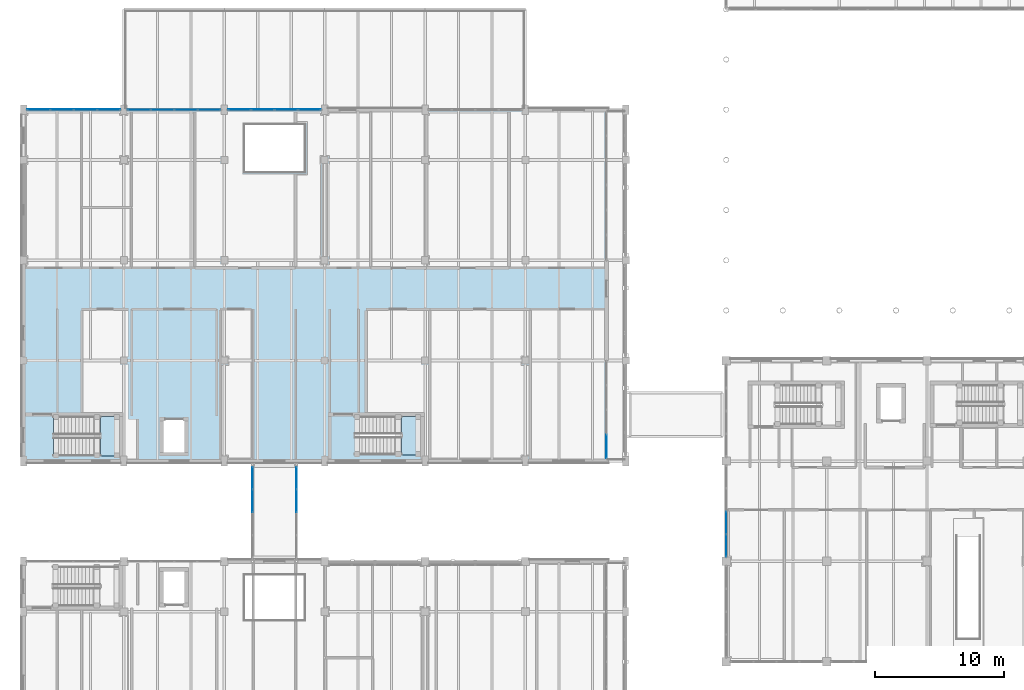
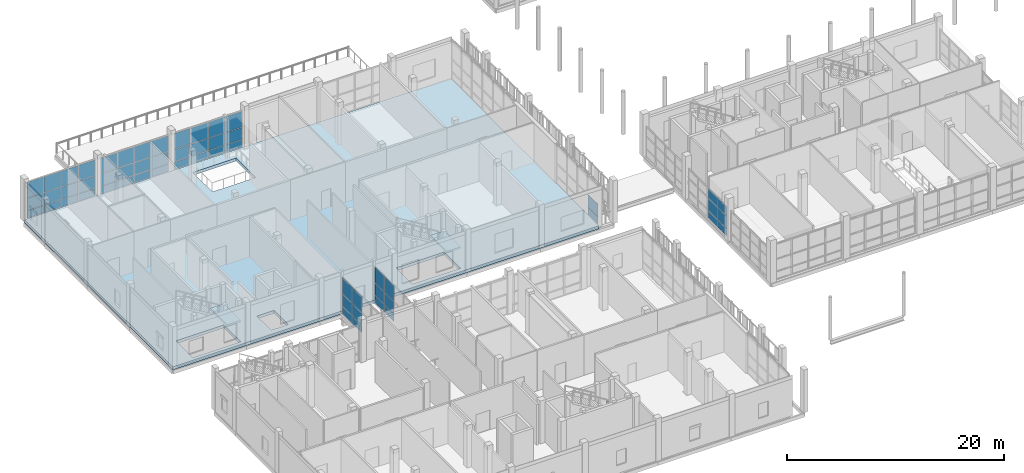
# One storey, part 78 of 138: 56 plates, 3 slabs, 9 elements without a shape of their own.
"""IFC4 building model written with IfcOpenShell, lengths in metres."""

from ifc_helpers import new_model, si_unit, direction, frame, origin, origin_2d, place, context, subcontext, project, spatial, polyline, rectangle, outline, extrude, material, layer, layer_set, type_object, element, aggregate, save


model = new_model("IFC4")

# Units and contexts
model_context = context("Model", 3, precision=1e-05, world=origin(), true_north=direction((0.0, 1.0)))
body_context = subcontext(model_context, "Body", "Model", "MODEL_VIEW")
ifc_project = project(units=[si_unit("LENGTHUNIT", "METRE"), si_unit("AREAUNIT", "SQUARE_METRE"), si_unit("VOLUMEUNIT", "CUBIC_METRE"), si_unit("PLANEANGLEUNIT", "RADIAN"), si_unit("MASSUNIT", "GRAM", prefix="KILO")], contexts=[model_context])

# Site, building, storey
site_placement = place(None, origin())
site = spatial("IfcSite", under=ifc_project, at=site_placement, CompositionType="ELEMENT")
building_placement = place(site_placement, origin())
building = spatial("IfcBuilding", under=site, at=building_placement, Name="Celorna Specialist Clinic", CompositionType="ELEMENT")
storey_placement = place(building_placement, frame((0.0, 0.0, 4.800048828125)))
storey = spatial("IfcBuildingStorey", under=building, at=storey_placement, Name="L01", CompositionType="ELEMENT", Elevation=4.800048828125)

# Curtain wall, plates
ifc_material_1 = material(Name="Thermally broken aluminium and solar-control glass curtain wall", Category="aluminium")
ifc_layer_1 = layer(ifc_material_1, 0.159912109375, Name="Thermally broken aluminium and solar-control glass curtain wall")
ifc_layer_set_1 = layer_set([ifc_layer_1], Name="Thermally broken aluminium and solar-control glass curtain wall")
curtain_wall_type_1 = type_object("IfcCurtainWallType", Name="CW-23", PredefinedType="NOTDEFINED", material=ifc_layer_set_1)
curtain_wall_1_placement = place(storey_placement, origin())
curtain_wall_1 = element("IfcCurtainWall", 1, at=curtain_wall_1_placement, inside=storey, type_object=curtain_wall_type_1, Name="Curtain wall CW-23 #51", PredefinedType="NOTDEFINED")
ifc_material_2 = material(Name="Low-e double glazing", Category="glass")
ifc_layer_2 = layer(ifc_material_2, 0.028076171875, Name="Low-e double glazing")
ifc_layer_set_2 = layer_set([ifc_layer_2], Name="Low-e double glazing")
plate_type_1 = type_object("IfcPlateType", Name="CPN-01", PredefinedType="CURTAIN_PANEL", material=ifc_layer_set_2)
plate_1_placement = place(storey_placement, frame((8.97802734375, 62.39990234375, 0.0498046875), z_axis=(0.0, 0.0, 1.0), x_axis=(1.0, 0.0, 0.0)))
plate_1 = element("IfcPlate", 2, at=plate_1_placement, type_object=plate_type_1, Name="CW-23 panel 1.1", PredefinedType="CURTAIN_PANEL", context=body_context, shape_type="SweptSolid", body=[
    extrude(rectangle(XDim=1.748046875, YDim=0.028076171875, at=origin_2d()), origin(), (0.0, 0.0, 1.0), 0.824951171875),
])
plate_2_placement = place(storey_placement, frame((8.97802734375, 62.39990234375, 0.9248046875), z_axis=(0.0, 0.0, 1.0), x_axis=(1.0, 0.0, 0.0)))
plate_2 = element("IfcPlate", 3, at=plate_2_placement, type_object=plate_type_1, Name="CW-23 panel 1.2", PredefinedType="CURTAIN_PANEL", context=body_context, shape_type="SweptSolid", body=[
    extrude(rectangle(XDim=1.748046875, YDim=0.028076171875, at=origin_2d()), origin(), (0.0, 0.0, 1.0), 1.35009765625),
])
plate_3_placement = place(storey_placement, frame((8.97802734375, 62.39990234375, 2.3251953125), z_axis=(0.0, 0.0, 1.0), x_axis=(1.0, 0.0, 0.0)))
plate_3 = element("IfcPlate", 4, at=plate_3_placement, type_object=plate_type_1, Name="CW-23 panel 1.3", PredefinedType="CURTAIN_PANEL", context=body_context, shape_type="SweptSolid", body=[
    extrude(rectangle(XDim=1.748046875, YDim=0.028076171875, at=origin_2d()), origin(), (0.0, 0.0, 1.0), 1.764892578125),
])
plate_4_placement = place(storey_placement, frame((10.78857421875, 62.39990234375, 0.0498046875), z_axis=(0.0, 0.0, 1.0), x_axis=(1.0, 0.0, 0.0)))
plate_4 = element("IfcPlate", 5, at=plate_4_placement, type_object=plate_type_1, Name="CW-23 panel 2.1", PredefinedType="CURTAIN_PANEL", context=body_context, shape_type="SweptSolid", body=[
    extrude(rectangle(XDim=1.77294921875, YDim=0.028076171875, at=origin_2d()), origin(), (0.0, 0.0, 1.0), 0.824951171875),
])
plate_5_placement = place(storey_placement, frame((10.78857421875, 62.39990234375, 0.9248046875), z_axis=(0.0, 0.0, 1.0), x_axis=(1.0, 0.0, 0.0)))
plate_5 = element("IfcPlate", 6, at=plate_5_placement, type_object=plate_type_1, Name="CW-23 panel 2.2", PredefinedType="CURTAIN_PANEL", context=body_context, shape_type="SweptSolid", body=[
    extrude(rectangle(XDim=1.77294921875, YDim=0.028076171875, at=origin_2d()), origin(), (0.0, 0.0, 1.0), 1.35009765625),
])
plate_6_placement = place(storey_placement, frame((10.78857421875, 62.39990234375, 2.3251953125), z_axis=(0.0, 0.0, 1.0), x_axis=(1.0, 0.0, 0.0)))
plate_6 = element("IfcPlate", 7, at=plate_6_placement, type_object=plate_type_1, Name="CW-23 panel 2.3", PredefinedType="CURTAIN_PANEL", context=body_context, shape_type="SweptSolid", body=[
    extrude(rectangle(XDim=1.77294921875, YDim=0.028076171875, at=origin_2d()), origin(), (0.0, 0.0, 1.0), 1.764892578125),
])
plate_7_placement = place(storey_placement, frame((12.611572265625, 62.39990234375, 0.0498046875), z_axis=(0.0, 0.0, 1.0), x_axis=(1.0, 0.0, 0.0)))
plate_7 = element("IfcPlate", 8, at=plate_7_placement, type_object=plate_type_1, Name="CW-23 panel 3.1", PredefinedType="CURTAIN_PANEL", context=body_context, shape_type="SweptSolid", body=[
    extrude(rectangle(XDim=1.77294921875, YDim=0.028076171875, at=origin_2d()), origin(), (0.0, 0.0, 1.0), 0.824951171875),
])
plate_8_placement = place(storey_placement, frame((12.611572265625, 62.39990234375, 0.9248046875), z_axis=(0.0, 0.0, 1.0), x_axis=(1.0, 0.0, 0.0)))
plate_8 = element("IfcPlate", 9, at=plate_8_placement, type_object=plate_type_1, Name="CW-23 panel 3.2", PredefinedType="CURTAIN_PANEL", context=body_context, shape_type="SweptSolid", body=[
    extrude(rectangle(XDim=1.77294921875, YDim=0.028076171875, at=origin_2d()), origin(), (0.0, 0.0, 1.0), 1.35009765625),
])
plate_9_placement = place(storey_placement, frame((12.611572265625, 62.39990234375, 2.3251953125), z_axis=(0.0, 0.0, 1.0), x_axis=(1.0, 0.0, 0.0)))
plate_9 = element("IfcPlate", 10, at=plate_9_placement, type_object=plate_type_1, Name="CW-23 panel 3.3", PredefinedType="CURTAIN_PANEL", context=body_context, shape_type="SweptSolid", body=[
    extrude(rectangle(XDim=1.77294921875, YDim=0.028076171875, at=origin_2d()), origin(), (0.0, 0.0, 1.0), 1.764892578125),
])
plate_10_placement = place(storey_placement, frame((14.422119140625, 62.39990234375, 0.0498046875), z_axis=(0.0, 0.0, 1.0), x_axis=(1.0, 0.0, 0.0)))
plate_10 = element("IfcPlate", 11, at=plate_10_placement, type_object=plate_type_1, Name="CW-23 panel 4.1", PredefinedType="CURTAIN_PANEL", context=body_context, shape_type="SweptSolid", body=[
    extrude(rectangle(XDim=1.748046875, YDim=0.028076171875, at=origin_2d()), origin(), (0.0, 0.0, 1.0), 0.824951171875),
])
plate_11_placement = place(storey_placement, frame((14.422119140625, 62.39990234375, 0.9248046875), z_axis=(0.0, 0.0, 1.0), x_axis=(1.0, 0.0, 0.0)))
plate_11 = element("IfcPlate", 12, at=plate_11_placement, type_object=plate_type_1, Name="CW-23 panel 4.2", PredefinedType="CURTAIN_PANEL", context=body_context, shape_type="SweptSolid", body=[
    extrude(rectangle(XDim=1.748046875, YDim=0.028076171875, at=origin_2d()), origin(), (0.0, 0.0, 1.0), 1.35009765625),
])
plate_12_placement = place(storey_placement, frame((14.422119140625, 62.39990234375, 2.3251953125), z_axis=(0.0, 0.0, 1.0), x_axis=(1.0, 0.0, 0.0)))
plate_12 = element("IfcPlate", 13, at=plate_12_placement, type_object=plate_type_1, Name="CW-23 panel 4.3", PredefinedType="CURTAIN_PANEL", context=body_context, shape_type="SweptSolid", body=[
    extrude(rectangle(XDim=1.748046875, YDim=0.028076171875, at=origin_2d()), origin(), (0.0, 0.0, 1.0), 1.764892578125),
])
aggregate(curtain_wall_1, [plate_1, plate_2, plate_3, plate_4, plate_5, plate_6, plate_7, plate_8, plate_9, plate_10, plate_11, plate_12])

ifc_layer_3 = layer(ifc_material_1, 0.159912109375, Name="Thermally broken aluminium and solar-control glass curtain wall")
ifc_layer_set_3 = layer_set([ifc_layer_3], Name="Thermally broken aluminium and solar-control glass curtain wall")
curtain_wall_type_2 = type_object("IfcCurtainWallType", Name="CW-109", PredefinedType="NOTDEFINED", material=ifc_layer_set_3)
curtain_wall_2_placement = place(storey_placement, origin())
curtain_wall_2 = element("IfcCurtainWall", 14, at=curtain_wall_2_placement, inside=storey, type_object=curtain_wall_type_2, Name="Curtain wall CW-109 #191", PredefinedType="NOTDEFINED")
plate_13_placement = place(storey_placement, frame((54.60009765625, 28.5341796875, 0.0498046875), z_axis=(0.0, 0.0, 1.0), x_axis=(0.0, 1.0, 0.0)))
plate_13 = element("IfcPlate", 15, at=plate_13_placement, type_object=plate_type_1, Name="CW-109 panel 1.1", PredefinedType="CURTAIN_PANEL", context=body_context, shape_type="SweptSolid", body=[
    extrude(rectangle(XDim=1.71044921875, YDim=0.028076171875, at=origin_2d()), origin(), (0.0, 0.0, 1.0), 0.824951171875),
])
plate_14_placement = place(storey_placement, frame((54.60009765625, 28.5341796875, 0.9248046875), z_axis=(0.0, 0.0, 1.0), x_axis=(0.0, 1.0, 0.0)))
plate_14 = element("IfcPlate", 16, at=plate_14_placement, type_object=plate_type_1, Name="CW-109 panel 1.2", PredefinedType="CURTAIN_PANEL", context=body_context, shape_type="SweptSolid", body=[
    extrude(rectangle(XDim=1.71044921875, YDim=0.028076171875, at=origin_2d()), origin(), (0.0, 0.0, 1.0), 1.35009765625),
])
plate_15_placement = place(storey_placement, frame((54.60009765625, 28.5341796875, 2.3251953125), z_axis=(0.0, 0.0, 1.0), x_axis=(0.0, 1.0, 0.0)))
plate_15 = element("IfcPlate", 17, at=plate_15_placement, type_object=plate_type_1, Name="CW-109 panel 1.3", PredefinedType="CURTAIN_PANEL", context=body_context, shape_type="SweptSolid", body=[
    extrude(rectangle(XDim=1.71044921875, YDim=0.028076171875, at=origin_2d()), origin(), (0.0, 0.0, 1.0), 1.014892578125),
])
plate_16_placement = place(storey_placement, frame((54.60009765625, 30.30712890625, 0.0498046875), z_axis=(0.0, 0.0, 1.0), x_axis=(0.0, 1.0, 0.0)))
plate_16 = element("IfcPlate", 18, at=plate_16_placement, type_object=plate_type_1, Name="CW-109 panel 2.1", PredefinedType="CURTAIN_PANEL", context=body_context, shape_type="SweptSolid", body=[
    extrude(rectangle(XDim=1.735595703125, YDim=0.028076171875, at=origin_2d()), origin(), (0.0, 0.0, 1.0), 0.824951171875),
])
plate_17_placement = place(storey_placement, frame((54.60009765625, 30.30712890625, 0.9248046875), z_axis=(0.0, 0.0, 1.0), x_axis=(0.0, 1.0, 0.0)))
plate_17 = element("IfcPlate", 19, at=plate_17_placement, type_object=plate_type_1, Name="CW-109 panel 2.2", PredefinedType="CURTAIN_PANEL", context=body_context, shape_type="SweptSolid", body=[
    extrude(rectangle(XDim=1.735595703125, YDim=0.028076171875, at=origin_2d()), origin(), (0.0, 0.0, 1.0), 1.35009765625),
])
plate_18_placement = place(storey_placement, frame((54.60009765625, 30.30712890625, 2.3251953125), z_axis=(0.0, 0.0, 1.0), x_axis=(0.0, 1.0, 0.0)))
plate_18 = element("IfcPlate", 20, at=plate_18_placement, type_object=plate_type_1, Name="CW-109 panel 2.3", PredefinedType="CURTAIN_PANEL", context=body_context, shape_type="SweptSolid", body=[
    extrude(rectangle(XDim=1.735595703125, YDim=0.028076171875, at=origin_2d()), origin(), (0.0, 0.0, 1.0), 1.014892578125),
])
aggregate(curtain_wall_2, [plate_13, plate_14, plate_15, plate_16, plate_17, plate_18])

ifc_layer_4 = layer(ifc_material_1, 0.159912109375, Name="Thermally broken aluminium and solar-control glass curtain wall")
ifc_layer_set_4 = layer_set([ifc_layer_4], Name="Thermally broken aluminium and solar-control glass curtain wall")
curtain_wall_type_3 = type_object("IfcCurtainWallType", Name="CW-111", PredefinedType="NOTDEFINED", material=ifc_layer_set_4)
curtain_wall_3_placement = place(storey_placement, origin())
curtain_wall_3 = element("IfcCurtainWall", 21, at=curtain_wall_3_placement, inside=storey, type_object=curtain_wall_type_3, Name="Curtain wall CW-111 #200", PredefinedType="NOTDEFINED")
plate_19_placement = place(storey_placement, frame((17.780029296875, 32.00634765625, 0.0498046875), z_axis=(0.0, 0.0, 1.0), x_axis=(0.0, 1.0, 0.0)))
plate_19 = element("IfcPlate", 22, at=plate_19_placement, type_object=plate_type_1, Name="CW-111 panel 3.1", PredefinedType="CURTAIN_PANEL", context=body_context, shape_type="SweptSolid", body=[
    extrude(rectangle(XDim=1.732421875, YDim=0.028076171875, at=origin_2d()), origin(), (0.0, 0.0, 1.0), 0.824951171875),
])
plate_20_placement = place(storey_placement, frame((17.780029296875, 32.00634765625, 0.9248046875), z_axis=(0.0, 0.0, 1.0), x_axis=(0.0, 1.0, 0.0)))
plate_20 = element("IfcPlate", 23, at=plate_20_placement, type_object=plate_type_1, Name="CW-111 panel 3.2", PredefinedType="CURTAIN_PANEL", context=body_context, shape_type="SweptSolid", body=[
    extrude(rectangle(XDim=1.732421875, YDim=0.028076171875, at=origin_2d()), origin(), (0.0, 0.0, 1.0), 1.35009765625),
])
plate_21_placement = place(storey_placement, frame((17.780029296875, 32.00634765625, 2.324951171875), z_axis=(0.0, 0.0, 1.0), x_axis=(0.0, 1.0, 0.0)))
plate_21 = element("IfcPlate", 24, at=plate_21_placement, type_object=plate_type_1, Name="CW-111 panel 3.3", PredefinedType="CURTAIN_PANEL", context=body_context, shape_type="SweptSolid", body=[
    extrude(rectangle(XDim=1.732421875, YDim=0.028076171875, at=origin_2d()), origin(), (0.0, 0.0, 1.0), 1.7548828125),
])
plate_22_placement = place(storey_placement, frame((17.780029296875, 33.7763671875, 0.0498046875), z_axis=(0.0, 0.0, 1.0), x_axis=(0.0, 1.0, 0.0)))
plate_22 = element("IfcPlate", 25, at=plate_22_placement, type_object=plate_type_1, Name="CW-111 panel 4.1", PredefinedType="CURTAIN_PANEL", context=body_context, shape_type="SweptSolid", body=[
    extrude(rectangle(XDim=1.70751953125, YDim=0.028076171875, at=origin_2d()), origin(), (0.0, 0.0, 1.0), 0.824951171875),
])
plate_23_placement = place(storey_placement, frame((17.780029296875, 33.7763671875, 0.9248046875), z_axis=(0.0, 0.0, 1.0), x_axis=(0.0, 1.0, 0.0)))
plate_23 = element("IfcPlate", 26, at=plate_23_placement, type_object=plate_type_1, Name="CW-111 panel 4.2", PredefinedType="CURTAIN_PANEL", context=body_context, shape_type="SweptSolid", body=[
    extrude(rectangle(XDim=1.70751953125, YDim=0.028076171875, at=origin_2d()), origin(), (0.0, 0.0, 1.0), 1.35009765625),
])
plate_24_placement = place(storey_placement, frame((17.780029296875, 33.7763671875, 2.324951171875), z_axis=(0.0, 0.0, 1.0), x_axis=(0.0, 1.0, 0.0)))
plate_24 = element("IfcPlate", 27, at=plate_24_placement, type_object=plate_type_1, Name="CW-111 panel 4.3", PredefinedType="CURTAIN_PANEL", context=body_context, shape_type="SweptSolid", body=[
    extrude(rectangle(XDim=1.70751953125, YDim=0.028076171875, at=origin_2d()), origin(), (0.0, 0.0, 1.0), 1.7548828125),
])
aggregate(curtain_wall_3, [plate_19, plate_20, plate_21, plate_22, plate_23, plate_24])

curtain_wall_4_placement = place(storey_placement, origin())
curtain_wall_4 = element("IfcCurtainWall", 28, at=curtain_wall_4_placement, inside=storey, type_object=curtain_wall_type_3, Name="Curtain wall CW-111 #201", PredefinedType="NOTDEFINED")
plate_25_placement = place(storey_placement, frame((21.219970703125, 33.7763671875, 0.0498046875), z_axis=(0.0, 0.0, 1.0), x_axis=(0.0, -1.0, 0.0)))
plate_25 = element("IfcPlate", 29, at=plate_25_placement, type_object=plate_type_1, Name="CW-111 panel 1.1", PredefinedType="CURTAIN_PANEL", context=body_context, shape_type="SweptSolid", body=[
    extrude(rectangle(XDim=1.70751953125, YDim=0.028076171875, at=origin_2d()), origin(), (0.0, 0.0, 1.0), 0.824951171875),
])
plate_26_placement = place(storey_placement, frame((21.219970703125, 33.7763671875, 0.9248046875), z_axis=(0.0, 0.0, 1.0), x_axis=(0.0, -1.0, 0.0)))
plate_26 = element("IfcPlate", 30, at=plate_26_placement, type_object=plate_type_1, Name="CW-111 panel 1.2", PredefinedType="CURTAIN_PANEL", context=body_context, shape_type="SweptSolid", body=[
    extrude(rectangle(XDim=1.70751953125, YDim=0.028076171875, at=origin_2d()), origin(), (0.0, 0.0, 1.0), 1.35009765625),
])
plate_27_placement = place(storey_placement, frame((21.219970703125, 33.7763671875, 2.324951171875), z_axis=(0.0, 0.0, 1.0), x_axis=(0.0, -1.0, 0.0)))
plate_27 = element("IfcPlate", 31, at=plate_27_placement, type_object=plate_type_1, Name="CW-111 panel 1.3", PredefinedType="CURTAIN_PANEL", context=body_context, shape_type="SweptSolid", body=[
    extrude(rectangle(XDim=1.70751953125, YDim=0.028076171875, at=origin_2d()), origin(), (0.0, 0.0, 1.0), 1.7548828125),
])
plate_28_placement = place(storey_placement, frame((21.219970703125, 32.00634765625, 0.0498046875), z_axis=(0.0, 0.0, 1.0), x_axis=(0.0, -1.0, 0.0)))
plate_28 = element("IfcPlate", 32, at=plate_28_placement, type_object=plate_type_1, Name="CW-111 panel 2.1", PredefinedType="CURTAIN_PANEL", context=body_context, shape_type="SweptSolid", body=[
    extrude(rectangle(XDim=1.732421875, YDim=0.028076171875, at=origin_2d()), origin(), (0.0, 0.0, 1.0), 0.824951171875),
])
plate_29_placement = place(storey_placement, frame((21.219970703125, 32.00634765625, 0.9248046875), z_axis=(0.0, 0.0, 1.0), x_axis=(0.0, -1.0, 0.0)))
plate_29 = element("IfcPlate", 33, at=plate_29_placement, type_object=plate_type_1, Name="CW-111 panel 2.2", PredefinedType="CURTAIN_PANEL", context=body_context, shape_type="SweptSolid", body=[
    extrude(rectangle(XDim=1.732421875, YDim=0.028076171875, at=origin_2d()), origin(), (0.0, 0.0, 1.0), 1.35009765625),
])
plate_30_placement = place(storey_placement, frame((21.219970703125, 32.00634765625, 2.324951171875), z_axis=(0.0, 0.0, 1.0), x_axis=(0.0, -1.0, 0.0)))
plate_30 = element("IfcPlate", 34, at=plate_30_placement, type_object=plate_type_1, Name="CW-111 panel 2.3", PredefinedType="CURTAIN_PANEL", context=body_context, shape_type="SweptSolid", body=[
    extrude(rectangle(XDim=1.732421875, YDim=0.028076171875, at=origin_2d()), origin(), (0.0, 0.0, 1.0), 1.7548828125),
])
aggregate(curtain_wall_4, [plate_25, plate_26, plate_27, plate_28, plate_29, plate_30])

ifc_layer_5 = layer(ifc_material_1, 0.159912109375, Name="Thermally broken aluminium and solar-control glass curtain wall")
ifc_layer_set_5 = layer_set([ifc_layer_5], Name="Thermally broken aluminium and solar-control glass curtain wall")
curtain_wall_type_4 = type_object("IfcCurtainWallType", Name="CW-24", PredefinedType="NOTDEFINED", material=ifc_layer_set_5)
curtain_wall_5_placement = place(storey_placement, origin())
curtain_wall_5 = element("IfcCurtainWall", 35, at=curtain_wall_5_placement, inside=storey, type_object=curtain_wall_type_4, Name="Curtain wall CW-24 #52", PredefinedType="NOTDEFINED")
ifc_material_3 = material(Name="Solar-control triple glazing", Category="glass")
ifc_layer_6 = layer(ifc_material_3, 0.035888671875, Name="Solar-control triple glazing")
ifc_layer_set_6 = layer_set([ifc_layer_6], Name="Solar-control triple glazing")
plate_type_2 = type_object("IfcPlateType", Name="CPN-02", PredefinedType="CURTAIN_PANEL", material=ifc_layer_set_6)
plate_31_placement = place(storey_placement, frame((16.778076171875, 62.39990234375, 0.0498046875), z_axis=(0.0, 0.0, 1.0), x_axis=(1.0, 0.0, 0.0)))
plate_31 = element("IfcPlate", 36, at=plate_31_placement, type_object=plate_type_2, Name="CW-24 panel 1.1", PredefinedType="CURTAIN_PANEL", context=body_context, shape_type="SweptSolid", body=[
    extrude(rectangle(XDim=1.748046875, YDim=0.035888671875, at=origin_2d()), origin(), (0.0, 0.0, 1.0), 0.824951171875),
])
plate_32_placement = place(storey_placement, frame((16.778076171875, 62.39990234375, 0.9248046875), z_axis=(0.0, 0.0, 1.0), x_axis=(1.0, 0.0, 0.0)))
plate_32 = element("IfcPlate", 37, at=plate_32_placement, type_object=plate_type_2, Name="CW-24 panel 1.2", PredefinedType="CURTAIN_PANEL", context=body_context, shape_type="SweptSolid", body=[
    extrude(rectangle(XDim=1.748046875, YDim=0.035888671875, at=origin_2d()), origin(), (0.0, 0.0, 1.0), 1.35009765625),
])
plate_33_placement = place(storey_placement, frame((16.778076171875, 62.39990234375, 2.3251953125), z_axis=(0.0, 0.0, 1.0), x_axis=(1.0, 0.0, 0.0)))
plate_33 = element("IfcPlate", 38, at=plate_33_placement, type_object=plate_type_2, Name="CW-24 panel 1.3", PredefinedType="CURTAIN_PANEL", context=body_context, shape_type="SweptSolid", body=[
    extrude(rectangle(XDim=1.748046875, YDim=0.035888671875, at=origin_2d()), origin(), (0.0, 0.0, 1.0), 1.764892578125),
])
plate_34_placement = place(storey_placement, frame((18.58837890625, 62.39990234375, 0.0498046875), z_axis=(0.0, 0.0, 1.0), x_axis=(1.0, 0.0, 0.0)))
plate_34 = element("IfcPlate", 39, at=plate_34_placement, type_object=plate_type_2, Name="CW-24 panel 2.1", PredefinedType="CURTAIN_PANEL", context=body_context, shape_type="SweptSolid", body=[
    extrude(rectangle(XDim=1.77294921875, YDim=0.035888671875, at=origin_2d()), origin(), (0.0, 0.0, 1.0), 0.824951171875),
])
plate_35_placement = place(storey_placement, frame((18.58837890625, 62.39990234375, 0.9248046875), z_axis=(0.0, 0.0, 1.0), x_axis=(1.0, 0.0, 0.0)))
plate_35 = element("IfcPlate", 40, at=plate_35_placement, type_object=plate_type_2, Name="CW-24 panel 2.2", PredefinedType="CURTAIN_PANEL", context=body_context, shape_type="SweptSolid", body=[
    extrude(rectangle(XDim=1.77294921875, YDim=0.035888671875, at=origin_2d()), origin(), (0.0, 0.0, 1.0), 1.35009765625),
])
plate_36_placement = place(storey_placement, frame((18.58837890625, 62.39990234375, 2.3251953125), z_axis=(0.0, 0.0, 1.0), x_axis=(1.0, 0.0, 0.0)))
plate_36 = element("IfcPlate", 41, at=plate_36_placement, type_object=plate_type_2, Name="CW-24 panel 2.3", PredefinedType="CURTAIN_PANEL", context=body_context, shape_type="SweptSolid", body=[
    extrude(rectangle(XDim=1.77294921875, YDim=0.035888671875, at=origin_2d()), origin(), (0.0, 0.0, 1.0), 1.764892578125),
])
plate_37_placement = place(storey_placement, frame((20.41162109375, 62.39990234375, 0.0498046875), z_axis=(0.0, 0.0, 1.0), x_axis=(1.0, 0.0, 0.0)))
plate_37 = element("IfcPlate", 42, at=plate_37_placement, type_object=plate_type_2, Name="CW-24 panel 3.1", PredefinedType="CURTAIN_PANEL", context=body_context, shape_type="SweptSolid", body=[
    extrude(rectangle(XDim=1.77294921875, YDim=0.035888671875, at=origin_2d()), origin(), (0.0, 0.0, 1.0), 0.824951171875),
])
plate_38_placement = place(storey_placement, frame((20.41162109375, 62.39990234375, 0.9248046875), z_axis=(0.0, 0.0, 1.0), x_axis=(1.0, 0.0, 0.0)))
plate_38 = element("IfcPlate", 43, at=plate_38_placement, type_object=plate_type_2, Name="CW-24 panel 3.2", PredefinedType="CURTAIN_PANEL", context=body_context, shape_type="SweptSolid", body=[
    extrude(rectangle(XDim=1.77294921875, YDim=0.035888671875, at=origin_2d()), origin(), (0.0, 0.0, 1.0), 1.35009765625),
])
plate_39_placement = place(storey_placement, frame((20.41162109375, 62.39990234375, 2.3251953125), z_axis=(0.0, 0.0, 1.0), x_axis=(1.0, 0.0, 0.0)))
plate_39 = element("IfcPlate", 44, at=plate_39_placement, type_object=plate_type_2, Name="CW-24 panel 3.3", PredefinedType="CURTAIN_PANEL", context=body_context, shape_type="SweptSolid", body=[
    extrude(rectangle(XDim=1.77294921875, YDim=0.035888671875, at=origin_2d()), origin(), (0.0, 0.0, 1.0), 1.764892578125),
])
plate_40_placement = place(storey_placement, frame((22.221923828125, 62.39990234375, 0.0498046875), z_axis=(0.0, 0.0, 1.0), x_axis=(1.0, 0.0, 0.0)))
plate_40 = element("IfcPlate", 45, at=plate_40_placement, type_object=plate_type_2, Name="CW-24 panel 4.1", PredefinedType="CURTAIN_PANEL", context=body_context, shape_type="SweptSolid", body=[
    extrude(rectangle(XDim=1.748046875, YDim=0.035888671875, at=origin_2d()), origin(), (0.0, 0.0, 1.0), 0.824951171875),
])
plate_41_placement = place(storey_placement, frame((22.221923828125, 62.39990234375, 0.9248046875), z_axis=(0.0, 0.0, 1.0), x_axis=(1.0, 0.0, 0.0)))
plate_41 = element("IfcPlate", 46, at=plate_41_placement, type_object=plate_type_2, Name="CW-24 panel 4.2", PredefinedType="CURTAIN_PANEL", context=body_context, shape_type="SweptSolid", body=[
    extrude(rectangle(XDim=1.748046875, YDim=0.035888671875, at=origin_2d()), origin(), (0.0, 0.0, 1.0), 1.35009765625),
])
plate_42_placement = place(storey_placement, frame((22.221923828125, 62.39990234375, 2.3251953125), z_axis=(0.0, 0.0, 1.0), x_axis=(1.0, 0.0, 0.0)))
plate_42 = element("IfcPlate", 47, at=plate_42_placement, type_object=plate_type_2, Name="CW-24 panel 4.3", PredefinedType="CURTAIN_PANEL", context=body_context, shape_type="SweptSolid", body=[
    extrude(rectangle(XDim=1.748046875, YDim=0.035888671875, at=origin_2d()), origin(), (0.0, 0.0, 1.0), 1.764892578125),
])
aggregate(curtain_wall_5, [plate_31, plate_32, plate_33, plate_34, plate_35, plate_36, plate_37, plate_38, plate_39, plate_40, plate_41, plate_42])

ifc_layer_7 = layer(ifc_material_1, 0.159912109375, Name="Thermally broken aluminium and solar-control glass curtain wall")
ifc_layer_set_7 = layer_set([ifc_layer_7], Name="Thermally broken aluminium and solar-control glass curtain wall")
curtain_wall_type_5 = type_object("IfcCurtainWallType", Name="CW-22", PredefinedType="NOTDEFINED", material=ifc_layer_set_7)
curtain_wall_6_placement = place(storey_placement, origin())
curtain_wall_6 = element("IfcCurtainWall", 48, at=curtain_wall_6_placement, inside=storey, type_object=curtain_wall_type_5, Name="Curtain wall CW-22 #50", PredefinedType="NOTDEFINED")
ifc_material_4 = material(Name="Glazed polychrome ceramic insulated spandrel")
ifc_layer_8 = layer(ifc_material_4, 0.0439453125, Name="Glazed polychrome ceramic insulated spandrel")
ifc_layer_set_8 = layer_set([ifc_layer_8], Name="Glazed polychrome ceramic insulated spandrel")
plate_type_3 = type_object("IfcPlateType", Name="CPN-03", PredefinedType="CURTAIN_PANEL", material=ifc_layer_set_8)
plate_43_placement = place(storey_placement, frame((1.177978515625, 62.39990234375, 0.0498046875), z_axis=(0.0, 0.0, 1.0), x_axis=(1.0, 0.0, 0.0)))
plate_43 = element("IfcPlate", 49, at=plate_43_placement, type_object=plate_type_3, Name="CW-22 panel 1.1", PredefinedType="CURTAIN_PANEL", context=body_context, shape_type="SweptSolid", body=[
    extrude(rectangle(XDim=1.748046875, YDim=0.0439453125, at=origin_2d()), origin(), (0.0, 0.0, 1.0), 0.824951171875),
])
plate_44_placement = place(storey_placement, frame((1.177978515625, 62.39990234375, 0.9248046875), z_axis=(0.0, 0.0, 1.0), x_axis=(1.0, 0.0, 0.0)))
plate_44 = element("IfcPlate", 50, at=plate_44_placement, type_object=plate_type_3, Name="CW-22 panel 1.2", PredefinedType="CURTAIN_PANEL", context=body_context, shape_type="SweptSolid", body=[
    extrude(rectangle(XDim=1.748046875, YDim=0.0439453125, at=origin_2d()), origin(), (0.0, 0.0, 1.0), 1.35009765625),
])
plate_45_placement = place(storey_placement, frame((1.177978515625, 62.39990234375, 2.3251953125), z_axis=(0.0, 0.0, 1.0), x_axis=(1.0, 0.0, 0.0)))
plate_45 = element("IfcPlate", 51, at=plate_45_placement, type_object=plate_type_3, Name="CW-22 panel 1.3", PredefinedType="CURTAIN_PANEL", context=body_context, shape_type="SweptSolid", body=[
    extrude(rectangle(XDim=1.748046875, YDim=0.0439453125, at=origin_2d()), origin(), (0.0, 0.0, 1.0), 1.764892578125),
])
plate_46_placement = place(storey_placement, frame((2.988525390625, 62.39990234375, 0.0498046875), z_axis=(0.0, 0.0, 1.0), x_axis=(1.0, 0.0, 0.0)))
plate_46 = element("IfcPlate", 52, at=plate_46_placement, type_object=plate_type_3, Name="CW-22 panel 2.1", PredefinedType="CURTAIN_PANEL", context=body_context, shape_type="SweptSolid", body=[
    extrude(rectangle(XDim=1.77294921875, YDim=0.0439453125, at=origin_2d()), origin(), (0.0, 0.0, 1.0), 0.824951171875),
])
plate_47_placement = place(storey_placement, frame((2.988525390625, 62.39990234375, 0.9248046875), z_axis=(0.0, 0.0, 1.0), x_axis=(1.0, 0.0, 0.0)))
plate_47 = element("IfcPlate", 53, at=plate_47_placement, type_object=plate_type_3, Name="CW-22 panel 2.2", PredefinedType="CURTAIN_PANEL", context=body_context, shape_type="SweptSolid", body=[
    extrude(rectangle(XDim=1.77294921875, YDim=0.0439453125, at=origin_2d()), origin(), (0.0, 0.0, 1.0), 1.35009765625),
])
plate_48_placement = place(storey_placement, frame((2.988525390625, 62.39990234375, 2.3251953125), z_axis=(0.0, 0.0, 1.0), x_axis=(1.0, 0.0, 0.0)))
plate_48 = element("IfcPlate", 54, at=plate_48_placement, type_object=plate_type_3, Name="CW-22 panel 2.3", PredefinedType="CURTAIN_PANEL", context=body_context, shape_type="SweptSolid", body=[
    extrude(rectangle(XDim=1.77294921875, YDim=0.0439453125, at=origin_2d()), origin(), (0.0, 0.0, 1.0), 1.764892578125),
])
plate_49_placement = place(storey_placement, frame((4.8115234375, 62.39990234375, 0.0498046875), z_axis=(0.0, 0.0, 1.0), x_axis=(1.0, 0.0, 0.0)))
plate_49 = element("IfcPlate", 55, at=plate_49_placement, type_object=plate_type_3, Name="CW-22 panel 3.1", PredefinedType="CURTAIN_PANEL", context=body_context, shape_type="SweptSolid", body=[
    extrude(rectangle(XDim=1.77294921875, YDim=0.0439453125, at=origin_2d()), origin(), (0.0, 0.0, 1.0), 0.824951171875),
])
plate_50_placement = place(storey_placement, frame((4.8115234375, 62.39990234375, 0.9248046875), z_axis=(0.0, 0.0, 1.0), x_axis=(1.0, 0.0, 0.0)))
plate_50 = element("IfcPlate", 56, at=plate_50_placement, type_object=plate_type_3, Name="CW-22 panel 3.2", PredefinedType="CURTAIN_PANEL", context=body_context, shape_type="SweptSolid", body=[
    extrude(rectangle(XDim=1.77294921875, YDim=0.0439453125, at=origin_2d()), origin(), (0.0, 0.0, 1.0), 1.35009765625),
])
plate_51_placement = place(storey_placement, frame((4.8115234375, 62.39990234375, 2.3251953125), z_axis=(0.0, 0.0, 1.0), x_axis=(1.0, 0.0, 0.0)))
plate_51 = element("IfcPlate", 57, at=plate_51_placement, type_object=plate_type_3, Name="CW-22 panel 3.3", PredefinedType="CURTAIN_PANEL", context=body_context, shape_type="SweptSolid", body=[
    extrude(rectangle(XDim=1.77294921875, YDim=0.0439453125, at=origin_2d()), origin(), (0.0, 0.0, 1.0), 1.764892578125),
])
plate_52_placement = place(storey_placement, frame((6.6220703125, 62.39990234375, 0.0498046875), z_axis=(0.0, 0.0, 1.0), x_axis=(1.0, 0.0, 0.0)))
plate_52 = element("IfcPlate", 58, at=plate_52_placement, type_object=plate_type_3, Name="CW-22 panel 4.1", PredefinedType="CURTAIN_PANEL", context=body_context, shape_type="SweptSolid", body=[
    extrude(rectangle(XDim=1.748046875, YDim=0.0439453125, at=origin_2d()), origin(), (0.0, 0.0, 1.0), 0.824951171875),
])
plate_53_placement = place(storey_placement, frame((6.6220703125, 62.39990234375, 0.9248046875), z_axis=(0.0, 0.0, 1.0), x_axis=(1.0, 0.0, 0.0)))
plate_53 = element("IfcPlate", 59, at=plate_53_placement, type_object=plate_type_3, Name="CW-22 panel 4.2", PredefinedType="CURTAIN_PANEL", context=body_context, shape_type="SweptSolid", body=[
    extrude(rectangle(XDim=1.748046875, YDim=0.0439453125, at=origin_2d()), origin(), (0.0, 0.0, 1.0), 1.35009765625),
])
plate_54_placement = place(storey_placement, frame((6.6220703125, 62.39990234375, 2.3251953125), z_axis=(0.0, 0.0, 1.0), x_axis=(1.0, 0.0, 0.0)))
plate_54 = element("IfcPlate", 60, at=plate_54_placement, type_object=plate_type_3, Name="CW-22 panel 4.3", PredefinedType="CURTAIN_PANEL", context=body_context, shape_type="SweptSolid", body=[
    extrude(rectangle(XDim=1.748046875, YDim=0.0439453125, at=origin_2d()), origin(), (0.0, 0.0, 1.0), 1.764892578125),
])
aggregate(curtain_wall_6, [plate_43, plate_44, plate_45, plate_46, plate_47, plate_48, plate_49, plate_50, plate_51, plate_52, plate_53, plate_54])

ifc_layer_9 = layer(ifc_material_1, 0.159912109375, Name="Thermally broken aluminium and solar-control glass curtain wall")
ifc_layer_set_9 = layer_set([ifc_layer_9], Name="Thermally broken aluminium and solar-control glass curtain wall")
curtain_wall_type_6 = type_object("IfcCurtainWallType", Name="CW-25", PredefinedType="NOTDEFINED", material=ifc_layer_set_9)
curtain_wall_7_placement = place(storey_placement, origin())
curtain_wall_7 = element("IfcCurtainWall", 61, at=curtain_wall_7_placement, inside=storey, type_object=curtain_wall_type_6, Name="Curtain wall CW-25 #54", PredefinedType="NOTDEFINED")
plate_55_placement = place(storey_placement, frame((45.300048828125, 36.2392578125, 0.0498046875), z_axis=(0.0, 0.0, 1.0), x_axis=(0.0, -1.0, 0.0)))
plate_55 = element("IfcPlate", 62, at=plate_55_placement, type_object=plate_type_3, Name="CW-25 panel 4.1", PredefinedType="CURTAIN_PANEL", context=body_context, shape_type="SweptSolid", body=[
    extrude(rectangle(XDim=1.83056640625, YDim=0.0439453125, at=origin_2d()), origin(), (0.0, 0.0, 1.0), 0.824951171875),
])
plate_56_placement = place(storey_placement, frame((45.300048828125, 36.2392578125, 0.9248046875), z_axis=(0.0, 0.0, 1.0), x_axis=(0.0, -1.0, 0.0)))
plate_56 = element("IfcPlate", 63, at=plate_56_placement, type_object=plate_type_3, Name="CW-25 panel 4.2", PredefinedType="CURTAIN_PANEL", context=body_context, shape_type="SweptSolid", body=[
    extrude(rectangle(XDim=1.83056640625, YDim=0.0439453125, at=origin_2d()), origin(), (0.0, 0.0, 1.0), 1.35009765625),
])
aggregate(curtain_wall_7, [plate_55, plate_56])

# Slab
ifc_material_5 = material(Name="Concrete C35/45", Category="concrete")
ifc_layer_10 = layer(ifc_material_5, 0.340087890625, Name="Concrete C35/45")
ifc_layer_set_10 = layer_set([ifc_layer_10], Name="Concrete C35/45")
slab_type_1 = type_object("IfcSlabType", Name="SL-05", PredefinedType="FLOOR", material=ifc_layer_set_10)
slab_1_placement = place(storey_placement, frame((0.0, 0.0, -0.340087890625)))
element("IfcSlab", 64, at=slab_1_placement, inside=storey, type_object=slab_type_1, Name="V2 L01 structural slab SL-05", PredefinedType="FLOOR", context=body_context, shape_type="SweptSolid", body=[
    extrude(outline(polyline([(45.300048828125, 35.10009765625), (45.300048828125, 62.39990234375), (0.0, 62.39990234375), (0.0, 35.10009765625), (45.300048828125, 35.10009765625)]), holes=[polyline([(2.340087890625, 35.47998046875), (7.43994140625, 35.47998046875), (7.43994140625, 38.580078125), (2.340087890625, 38.580078125), (2.340087890625, 35.47998046875)]), polyline([(25.739990234375, 35.580078125), (30.840087890625, 35.580078125), (30.840087890625, 38.580078125), (25.739990234375, 38.580078125), (25.739990234375, 35.580078125)]), polyline([(10.794921875, 35.695068359375), (12.60498046875, 35.695068359375), (12.60498046875, 38.304931640625), (10.794921875, 38.304931640625), (10.794921875, 35.695068359375)]), polyline([(17.199951171875, 57.60009765625), (21.800048828125, 57.60009765625), (21.800048828125, 61.199951171875), (17.199951171875, 61.199951171875), (17.199951171875, 57.60009765625)])]), origin(), (0.0, 0.0, 1.0), 0.340087890625),
])

# Stair, slab
stair_type_1 = type_object("IfcStairType", Name="ST-02", PredefinedType="HALF_TURN_STAIR", material=ifc_material_5)
stair_1_placement = place(storey_placement, origin())
stair_1 = element("IfcStair", 65, at=stair_1_placement, inside=storey, type_object=stair_type_1, Name="L01 Protected exit stair ST-06", PredefinedType="HALF_TURN_STAIR")
ifc_layer_11 = layer(ifc_material_5, 0.199951171875, Name="Concrete C35/45")
ifc_layer_set_11 = layer_set([ifc_layer_11], Name="Concrete C35/45")
slab_type_2 = type_object("IfcSlabType", Name="SL-11", PredefinedType="LANDING", material=ifc_layer_set_11)
slab_2_placement = place(storey_placement, frame((0.0, 0.0, 2.199951171875)))
slab_2 = element("IfcSlab", 66, at=slab_2_placement, type_object=slab_type_2, Name="ST-06 landing 1", PredefinedType="LANDING", context=body_context, shape_type="SweptSolid", body=[
    extrude(outline(polyline([(5.97998046875, 35.47998046875), (7.43994140625, 35.47998046875), (7.43994140625, 38.580078125), (5.97998046875, 38.580078125), (5.97998046875, 35.47998046875)])), origin(), (0.0, 0.0, 1.0), 0.199951171875),
])
aggregate(stair_1, [slab_2])

stair_type_2 = type_object("IfcStairType", Name="ST-03", PredefinedType="HALF_TURN_STAIR", material=ifc_material_5)
stair_2_placement = place(storey_placement, origin())
stair_2 = element("IfcStair", 67, at=stair_2_placement, inside=storey, type_object=stair_type_2, Name="L01 Protected exit stair ST-07", PredefinedType="HALF_TURN_STAIR")
slab_3_placement = place(storey_placement, frame((0.0, 0.0, 2.199951171875)))
slab_3 = element("IfcSlab", 68, at=slab_3_placement, type_object=slab_type_2, Name="ST-07 landing 1", PredefinedType="LANDING", context=body_context, shape_type="SweptSolid", body=[
    extrude(outline(polyline([(29.3798828125, 35.580078125), (30.840087890625, 35.580078125), (30.840087890625, 38.580078125), (29.3798828125, 38.580078125), (29.3798828125, 35.580078125)])), origin(), (0.0, 0.0, 1.0), 0.199951171875),
])
aggregate(stair_2, [slab_3])

save(model, "model.ifc")
